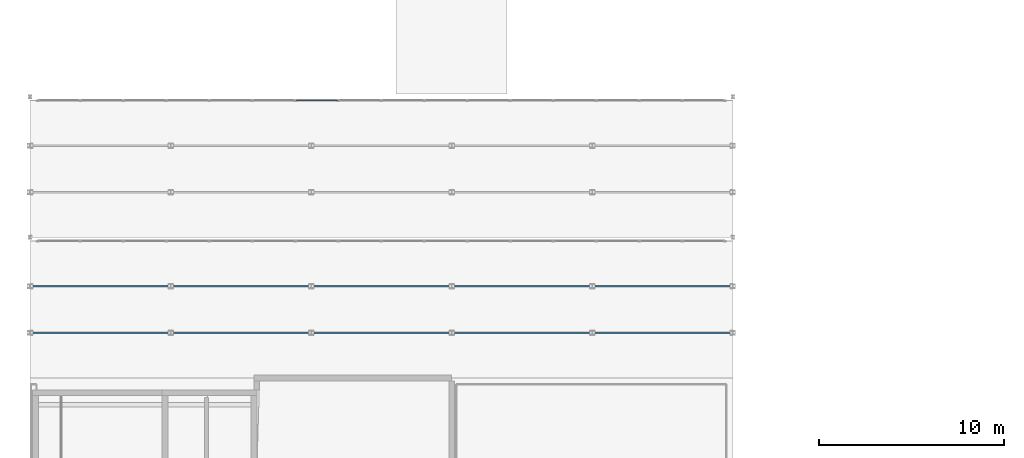
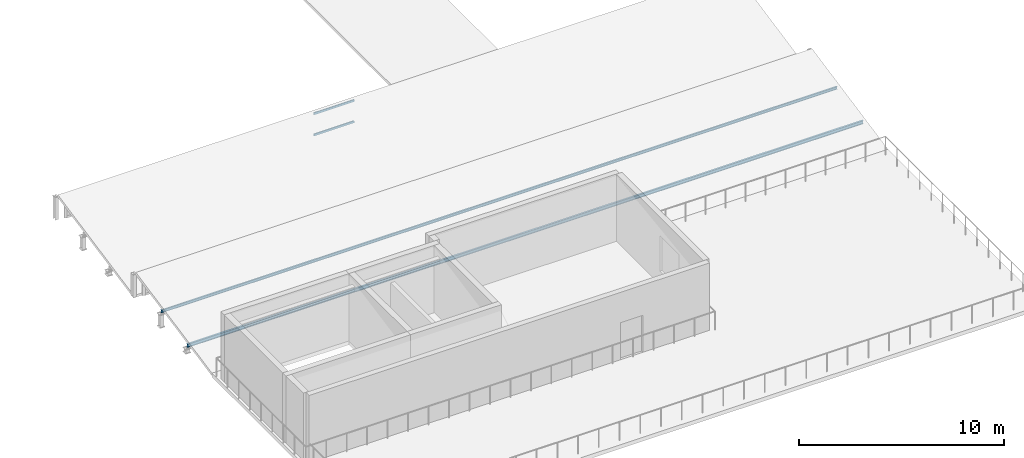
# One storey, part 22 of 114: 4 members, 1 element without a shape of its own.
"""IFC4 building model written with IfcOpenShell, lengths in metres."""

from ifc_helpers import new_model, si_unit, direction, frame, origin, origin_2d, place, context, subcontext, project, spatial, hollow_rectangle, i_section, extrude, material, layer, layer_set, material_profile, profile_set, type_object, element, aggregate, save


model = new_model("IFC4")

# Units and contexts
model_context = context("Model", 3, precision=1e-05, world=origin(), true_north=direction((0.0, 1.0)))
body_context = subcontext(model_context, "Body", "Model", "MODEL_VIEW")
ifc_project = project(units=[si_unit("LENGTHUNIT", "METRE"), si_unit("AREAUNIT", "SQUARE_METRE"), si_unit("VOLUMEUNIT", "CUBIC_METRE"), si_unit("PLANEANGLEUNIT", "RADIAN"), si_unit("MASSUNIT", "GRAM", prefix="KILO")], contexts=[model_context])

# Site, building, storey
site_placement = place(None, origin())
site = spatial("IfcSite", under=ifc_project, at=site_placement, CompositionType="ELEMENT")
building_placement = place(site_placement, origin())
building = spatial("IfcBuilding", under=site, at=building_placement, Name="Montecoro Central Library", CompositionType="ELEMENT")
storey_placement = place(building_placement, frame((0.0, 0.0, 13.260009765625)))
storey = spatial("IfcBuildingStorey", under=building, at=storey_placement, Name="L03", CompositionType="ELEMENT", Elevation=13.260009765625)

# Curtain wall, members
ifc_material_1 = material(Name="Bronze-anodised aluminium and low-E glazing", Category="aluminium")
ifc_layer = layer(ifc_material_1, 0.159912109375)
ifc_layer_set = layer_set([ifc_layer], Name="Bronze-anodised aluminium and low-E glazing")
curtain_wall_type = type_object("IfcCurtainWallType", Name="CWT-037", PredefinedType="NOTDEFINED", material=ifc_layer_set)
curtain_wall_placement = place(storey_placement, origin())
curtain_wall = element("IfcCurtainWall", 1, at=curtain_wall_placement, inside=storey, type_object=curtain_wall_type, Name="V3-ROOF-SAWCW-2", PredefinedType="NOTDEFINED")
ifc_material_2 = material(Name="Bronze-anodised aluminium", Category="aluminium")
ifc_material_profile_1 = material_profile(ifc_material_2, hollow_rectangle(XDim=0.06005859375, YDim=0.1201171875, WallThickness=0.00390625, at=origin_2d()), Name="CWT 120x60x4.0")
ifc_profile_set_1 = profile_set([ifc_material_profile_1], Name="Bronze-anodised aluminium")
member_type_1 = type_object("IfcMemberType", Name="CWT-BRZ-60", PredefinedType="USERDEFINED", material=ifc_profile_set_1)
member_1_placement = place(storey_placement, frame((19.3798828125, 35.199951171875, 0.030029296875), z_axis=(1.0, 0.0, 0.0), x_axis=(0.0, 1.0, 0.0)))
member_1 = element("IfcMember", 2, at=member_1_placement, type_object=member_type_1, Name="CW-037 transom 7.1", ObjectType="TRANSOM", PredefinedType="USERDEFINED", context=body_context, shape_type="SweptSolid", body=[
    extrude(hollow_rectangle(XDim=0.06005859375, YDim=0.1201171875, WallThickness=0.00390625, at=origin_2d()), origin(), (0.0, 0.0, 1.0), 2.26513671875),
])
member_2_placement = place(storey_placement, frame((19.3798828125, 35.199951171875, 1.2900390625), z_axis=(1.0, 0.0, 0.0), x_axis=(0.0, 1.0, 0.0)))
member_2 = element("IfcMember", 3, at=member_2_placement, type_object=member_type_1, Name="CW-037 transom 7.2", ObjectType="TRANSOM", PredefinedType="USERDEFINED", context=body_context, shape_type="SweptSolid", body=[
    extrude(hollow_rectangle(XDim=0.06005859375, YDim=0.1201171875, WallThickness=0.00390625, at=origin_2d()), origin(), (0.0, 0.0, 1.0), 2.26513671875),
])
aggregate(curtain_wall, [member_1, member_2])

# Members
ifc_material_3 = material(Name="Steel S355", Category="steel")
ifc_material_profile_2 = material_profile(ifc_material_3, i_section(OverallWidth=0.08203125, OverallDepth=0.159912109375, WebThickness=0.0048828125, FlangeThickness=0.00732421875, at=origin_2d()), Name="IPE 160")
ifc_profile_set_2 = profile_set([ifc_material_profile_2], Name="Steel S355")
member_type_2 = type_object("IfcMemberType", Name="MB-PR-IPE160", PredefinedType="PURLIN", material=ifc_profile_set_2)
member_3_placement = place(storey_placement, frame((5.0, 25.157958984375, 0.6650390625), z_axis=(1.0, 0.0, 0.0), x_axis=(0.0, 1.0, 0.0)))
element("IfcMember", 4, at=member_3_placement, inside=storey, type_object=member_type_2, Name="V3-ROOF-PR1-67", PredefinedType="PURLIN", context=body_context, shape_type="SweptSolid", body=[
    extrude(i_section(OverallWidth=0.08203125, OverallDepth=0.159912109375, WebThickness=0.0048828125, FlangeThickness=0.00732421875, at=origin_2d()), origin(), (0.0, 0.0, 1.0), 38.0),
])
ifc_material_profile_3 = material_profile(ifc_material_3, i_section(OverallWidth=0.10009765625, OverallDepth=0.199951171875, WebThickness=0.005615234375, FlangeThickness=0.008544921875, at=origin_2d()), Name="IPE 200")
ifc_profile_set_3 = profile_set([ifc_material_profile_3], Name="Steel S355")
member_type_3 = type_object("IfcMemberType", Name="MB-PR-IPE200", PredefinedType="PURLIN", material=ifc_profile_set_3)
member_4_placement = place(storey_placement, frame((5.0, 22.64208984375, 0.155029296875), z_axis=(1.0, 0.0, 0.0), x_axis=(0.0, 1.0, 0.0)))
element("IfcMember", 5, at=member_4_placement, inside=storey, type_object=member_type_3, Name="V3-ROOF-PR1-33", PredefinedType="PURLIN", context=body_context, shape_type="SweptSolid", body=[
    extrude(i_section(OverallWidth=0.10009765625, OverallDepth=0.199951171875, WebThickness=0.005615234375, FlangeThickness=0.008544921875, at=origin_2d()), origin(), (0.0, 0.0, 1.0), 38.0),
])

save(model, "model.ifc")
